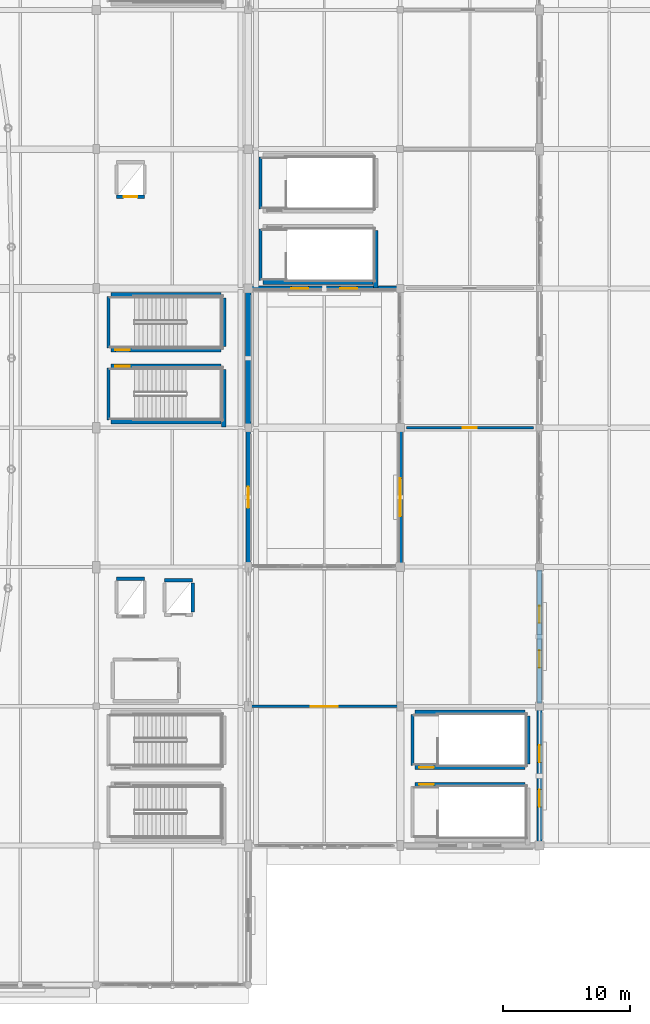
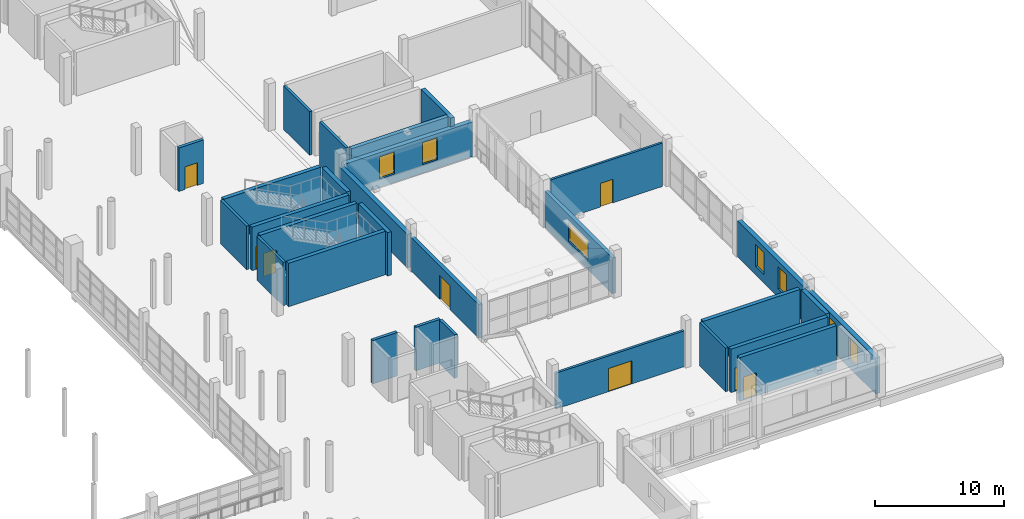
# One storey, part 87 of 118: 29 walls, 8 doors, 7 windows, 15 openings.
"""IFC4 building model written with IfcOpenShell, lengths in metres."""

from ifc_helpers import new_model, si_unit, direction, frame, frame_2d, origin, place, context, subcontext, project, spatial, rectangle, extrude, material, layer, layer_set, type_object, element, fill, save


model = new_model("IFC4")

# Units and contexts
model_context = context("Model", 3, precision=1e-05, world=origin(), true_north=direction((0.0, 1.0)))
body_context = subcontext(model_context, "Body", "Model", "MODEL_VIEW")
ifc_project = project(units=[si_unit("LENGTHUNIT", "METRE"), si_unit("AREAUNIT", "SQUARE_METRE"), si_unit("VOLUMEUNIT", "CUBIC_METRE"), si_unit("PLANEANGLEUNIT", "RADIAN"), si_unit("MASSUNIT", "GRAM", prefix="KILO")], contexts=[model_context])

# Site, building, storey
site_placement = place(None, origin())
site = spatial("IfcSite", under=ifc_project, at=site_placement, CompositionType="ELEMENT")
building_placement = place(site_placement, origin())
building = spatial("IfcBuilding", under=site, at=building_placement, Name="Luwafu Chhajja Arena", CompositionType="ELEMENT")
storey_placement = place(building_placement, frame((0.0, 0.0, 10.199951171875)))
storey = spatial("IfcBuildingStorey", under=building, at=storey_placement, Name="L02", CompositionType="ELEMENT", Elevation=10.199951171875)

# Wall, opening, door
ifc_material_1 = material(Name="Acoustic gypsum and mineral wool partition")
ifc_layer_1 = layer(ifc_material_1, 0.199951171875, Name="Acoustic gypsum and mineral wool partition")
ifc_layer_set_1 = layer_set([ifc_layer_1], Name="Acoustic gypsum and mineral wool partition")
wall_type_1 = type_object("IfcWallType", Name="Acoustic Broadcast Studio Partition 200", PredefinedType="PARTITIONING", material=ifc_layer_set_1)
wall_1_placement = place(storey_placement, frame((176.47998046875, 44.0, 0.0), z_axis=(0.0, 0.0, 1.0), x_axis=(1.0, 0.0, 0.0)))
wall_1 = element("IfcWall", 1, at=wall_1_placement, inside=storey, type_object=wall_type_1, Name="L02 Internal Partition 0282", PredefinedType="PARTITIONING", context=body_context, shape_type="SweptSolid", body=[
    extrude(rectangle(XDim=10.0400390625, YDim=0.199951171875, at=frame_2d((5.02001953125, 0.0))), origin(), (0.0, 0.0, 1.0), 4.14013671875),
])
opening_1_placement = place(wall_1_placement, frame((4.4599609375, 0.0, 0.0)))
opening_1 = element("IfcOpeningElement", 2, at=opening_1_placement, cuts=wall_1, Name="Opening DR-16", PredefinedType="OPENING", context=body_context, shape_type="SweptSolid", body=[
    extrude(rectangle(XDim=1.1201171875, YDim=2.25, at=frame_2d((0.56005859375, 1.125))), frame((0.0, 0.10986328125, 0.0), z_axis=(0.0, -1.0, 0.0), x_axis=(1.0, 0.0, 0.0)), (0.0, 0.0, 1.0), 0.219970703125),
])
ifc_material_2 = material(Name="Acoustic steel-core timber door", Category="steel")
door_type_1 = type_object("IfcDoorType", Name="DR-16", OperationType="NOTDEFINED", PredefinedType="DOOR", material=ifc_material_2)
door_1_placement = place(opening_1_placement, origin())
door_1 = element("IfcDoor", 3, at=door_1_placement, inside=storey, type_object=door_type_1, Name="L02 Interior Door L02-D040", OperationType="SINGLE_SWING_RIGHT", OverallHeight=2.25, OverallWidth=1.1201171875, PredefinedType="DOOR", context=body_context, shape_type="SweptSolid", body=[
    extrude(rectangle(XDim=1.1201171875, YDim=2.25, at=frame_2d((0.56005859375, 1.125))), frame((0.0, 0.02490234375, 0.0), z_axis=(0.0, -1.0, 0.0), x_axis=(1.0, 0.0, 0.0)), (0.0, 0.0, 1.0), 0.050048828125),
])
fill(opening_1, door_1)

# Walls
ifc_material_3 = material(Name="Concrete C35/45", Category="concrete")
ifc_layer_2 = layer(ifc_material_3, 0.260009765625, Name="Concrete C35/45")
ifc_layer_set_2 = layer_set([ifc_layer_2], Name="Concrete C35/45")
wall_type_2 = type_object("IfcWallType", Name="Lift and Riser Shaft Wall 260", PredefinedType="SOLIDWALL", material=ifc_layer_set_2)
wall_2_placement = place(storey_placement, frame((153.590087890625, 32.0849609375, 0.0), z_axis=(0.0, 0.0, 1.0), x_axis=(1.0, 0.0, 0.0)))
element("IfcWall", 4, at=wall_2_placement, inside=storey, type_object=wall_type_2, Name="L02 Lift LF-02 Shaft Wall N", PredefinedType="SOLIDWALL", context=body_context, shape_type="SweptSolid", body=[
    extrude(rectangle(XDim=2.219970703125, YDim=0.260009765625, at=frame_2d((1.10986328125, 0.0))), origin(), (0.0, 0.0, 1.0), 4.14013671875),
])
wall_3_placement = place(storey_placement, frame((157.389892578125, 31.9599609375, 0.0), z_axis=(0.0, 0.0, 1.0), x_axis=(1.0, 0.0, 0.0)))
element("IfcWall", 5, at=wall_3_placement, inside=storey, type_object=wall_type_2, Name="L02 Lift LF-06 Shaft Wall N", PredefinedType="SOLIDWALL", context=body_context, shape_type="SweptSolid", body=[
    extrude(rectangle(XDim=2.22021484375, YDim=0.260009765625, at=frame_2d((1.110107421875, 0.0))), origin(), (0.0, 0.0, 1.0), 4.14013671875),
])
wall_4_placement = place(storey_placement, frame((159.610107421875, 29.43994140625, 0.0), z_axis=(0.0, 0.0, 1.0), x_axis=(0.0, 1.0, 0.0)))
element("IfcWall", 6, at=wall_4_placement, inside=storey, type_object=wall_type_2, Name="L02 Lift LF-06 Shaft Wall E", PredefinedType="SOLIDWALL", context=body_context, shape_type="SweptSolid", body=[
    extrude(rectangle(XDim=2.320068359375, YDim=0.260009765625, at=frame_2d((1.16015625, 0.0))), origin(), (0.0, 0.0, 1.0), 4.14013671875),
])

# Wall, opening, door
wall_5_placement = place(storey_placement, frame((153.590087890625, 62.239990234375, 0.0), z_axis=(0.0, 0.0, 1.0), x_axis=(1.0, 0.0, 0.0)))
wall_5 = element("IfcWall", 7, at=wall_5_placement, inside=storey, type_object=wall_type_2, Name="L02 Lift LF-10 Shaft Wall S", PredefinedType="SOLIDWALL", context=body_context, shape_type="SweptSolid", body=[
    extrude(rectangle(XDim=2.219970703125, YDim=0.260009765625, at=frame_2d((1.10986328125, 0.0))), origin(), (0.0, 0.0, 1.0), 4.14013671875),
])
opening_2_placement = place(wall_5_placement, frame((0.56005859375, 0.0, 0.0)))
opening_2 = element("IfcOpeningElement", 8, at=opening_2_placement, cuts=wall_5, Name="Opening LD-01", PredefinedType="OPENING", context=body_context, shape_type="SweptSolid", body=[
    extrude(rectangle(XDim=1.10009765625, YDim=2.14990234375, at=frame_2d((0.550048828125, 1.074951171875))), frame((0.0, 0.139892578125, 0.0), z_axis=(0.0, -1.0, 0.0), x_axis=(1.0, 0.0, 0.0)), (0.0, 0.0, 1.0), 0.280029296875),
])
ifc_material_4 = material(Name="Brushed stainless steel sliding leaves", Category="steel")
door_type_2 = type_object("IfcDoorType", Name="LD-01", OperationType="SLIDING_TO_LEFT", PredefinedType="DOOR", material=ifc_material_4)
door_2_placement = place(opening_2_placement, origin())
door_2 = element("IfcDoor", 9, at=door_2_placement, inside=storey, type_object=door_type_2, Name="L02 Lift LF-10 Landing Door L02-LD10", OperationType="SLIDING_TO_LEFT", OverallHeight=2.14990234375, OverallWidth=1.10009765625, PredefinedType="DOOR", context=body_context, shape_type="SweptSolid", body=[
    extrude(rectangle(XDim=1.10009765625, YDim=2.14990234375, at=frame_2d((0.550048828125, 1.074951171875))), frame((0.0, 0.02490234375, 0.0), z_axis=(0.0, -1.0, 0.0), x_axis=(1.0, 0.0, 0.0)), (0.0, 0.0, 1.0), 0.050048828125),
])
fill(opening_2, door_2)

ifc_material_5 = material(Name="Concrete blockwork masonry", Category="masonry")
ifc_layer_3 = layer(ifc_material_5, 0.219970703125, Name="Concrete blockwork masonry")
ifc_layer_set_3 = layer_set([ifc_layer_3], Name="Concrete blockwork masonry")
wall_type_3 = type_object("IfcWallType", Name="Protected Corridor Partition 220", PredefinedType="PARTITIONING", material=ifc_layer_set_3)
wall_6_placement = place(storey_placement, frame((164.219970703125, 22.0, 0.0), z_axis=(0.0, 0.0, 1.0), x_axis=(1.0, 0.0, 0.0)))
wall_6 = element("IfcWall", 10, at=wall_6_placement, inside=storey, type_object=wall_type_3, Name="L02 Internal Partition 0281", PredefinedType="PARTITIONING", context=body_context, shape_type="SweptSolid", body=[
    extrude(rectangle(XDim=11.56005859375, YDim=0.219970703125, at=frame_2d((5.780029296875, 0.0))), origin(), (0.0, 0.0, 1.0), 3.405029296875),
])
opening_3_placement = place(wall_6_placement, frame((4.72998046875, 0.0, 0.0)))
opening_3 = element("IfcOpeningElement", 11, at=opening_3_placement, cuts=wall_6, Name="Opening DR-05", PredefinedType="OPENING", context=body_context, shape_type="SweptSolid", body=[
    extrude(rectangle(XDim=2.10009765625, YDim=2.199951171875, at=frame_2d((1.050048828125, 1.10009765625))), frame((0.0, 0.119873046875, 0.0), z_axis=(0.0, -1.0, 0.0), x_axis=(1.0, 0.0, 0.0)), (0.0, 0.0, 1.0), 0.239990234375),
])
ifc_material_6 = material(Name="Fire-rated hardwood and steel core", Category="steel")
door_type_3 = type_object("IfcDoorType", Name="DR-05", OperationType="DOUBLE_DOOR_SINGLE_SWING", PredefinedType="DOOR", material=ifc_material_6)
door_3_placement = place(opening_3_placement, origin())
door_3 = element("IfcDoor", 12, at=door_3_placement, inside=storey, type_object=door_type_3, Name="L02 Interior Door L02-D039", OperationType="DOUBLE_DOOR_SINGLE_SWING", OverallHeight=2.199951171875, OverallWidth=2.10009765625, PredefinedType="DOOR", context=body_context, shape_type="SweptSolid", body=[
    extrude(rectangle(XDim=2.10009765625, YDim=2.199951171875, at=frame_2d((1.050048828125, 1.10009765625))), frame((0.0, 0.02490234375, 0.0), z_axis=(0.0, -1.0, 0.0), x_axis=(1.0, 0.0, 0.0)), (0.0, 0.0, 1.0), 0.050048828125),
])
fill(opening_3, door_3)

# Walls
ifc_material_7 = material(Name="Concrete C40/50", Category="concrete")
ifc_layer_4 = layer(ifc_material_7, 0.35009765625, Name="Concrete C40/50")
ifc_layer_set_4 = layer_set([ifc_layer_4], Name="Concrete C40/50")
wall_type_4 = type_object("IfcWallType", Name="RC Core Shear Wall 350", PredefinedType="SOLIDWALL", material=ifc_layer_set_4)
wall_7_placement = place(storey_placement, frame((162.072021484375, 44.050048828125, 0.0), z_axis=(0.0, 0.0, 1.0), x_axis=(0.0, 1.0, 0.0)))
element("IfcWall", 13, at=wall_7_placement, inside=storey, type_object=wall_type_4, Name="L02 Stair ST-11 Core Shear Wall E", PredefinedType="SOLIDWALL", context=body_context, shape_type="SweptSolid", body=[
    extrude(rectangle(XDim=4.5400390625, YDim=0.35009765625, at=frame_2d((2.27001953125, 0.0))), origin(), (0.0, 0.0, 1.0), 4.14013671875),
])
wall_8_placement = place(storey_placement, frame((153.14990234375, 44.47802734375, 0.0), z_axis=(0.0, 0.0, 1.0), x_axis=(1.0, 0.0, 0.0)))
element("IfcWall", 14, at=wall_8_placement, inside=storey, type_object=wall_type_4, Name="L02 Stair ST-11 Core Shear Wall S", PredefinedType="SOLIDWALL", context=body_context, shape_type="SweptSolid", body=[
    extrude(rectangle(XDim=8.7001953125, YDim=0.35009765625, at=frame_2d((4.35009765625, 0.0))), origin(), (0.0, 0.0, 1.0), 4.14013671875),
])

# Wall, opening, door
wall_9_placement = place(storey_placement, frame((153.14990234375, 48.862060546875, 0.0), z_axis=(0.0, 0.0, 1.0), x_axis=(1.0, 0.0, 0.0)))
wall_9 = element("IfcWall", 15, at=wall_9_placement, inside=storey, type_object=wall_type_4, Name="L02 Stair ST-11 Core Shear Wall N", PredefinedType="SOLIDWALL", context=body_context, shape_type="SweptSolid", body=[
    extrude(rectangle(XDim=8.7001953125, YDim=0.35009765625, at=frame_2d((4.35009765625, 0.0))), origin(), (0.0, 0.0, 1.0), 4.14013671875),
])
opening_4_placement = place(wall_9_placement, frame((0.35009765625, 0.0, 0.0)))
opening_4 = element("IfcOpeningElement", 16, at=opening_4_placement, cuts=wall_9, Name="Opening DR-06", PredefinedType="OPENING", context=body_context, shape_type="SweptSolid", body=[
    extrude(rectangle(XDim=1.14990234375, YDim=2.199951171875, at=frame_2d((0.574951171875, 1.10009765625))), frame((0.0, 0.18505859375, 0.0), z_axis=(0.0, -1.0, 0.0), x_axis=(1.0, 0.0, 0.0)), (0.0, 0.0, 1.0), 0.3701171875),
])
door_type_4 = type_object("IfcDoorType", Name="DR-06", OperationType="NOTDEFINED", PredefinedType="DOOR", material=ifc_material_6)
door_4_placement = place(opening_4_placement, origin())
door_4 = element("IfcDoor", 17, at=door_4_placement, inside=storey, type_object=door_type_4, Name="L02 Escape Stair ST-11 Fire Door L02-D019", OperationType="SINGLE_SWING_RIGHT", OverallHeight=2.199951171875, OverallWidth=1.14990234375, PredefinedType="DOOR", context=body_context, shape_type="SweptSolid", body=[
    extrude(rectangle(XDim=1.14990234375, YDim=2.199951171875, at=frame_2d((0.574951171875, 1.10009765625))), frame((0.0, 0.02490234375, 0.0), z_axis=(0.0, -1.0, 0.0), x_axis=(1.0, 0.0, 0.0)), (0.0, 0.0, 1.0), 0.050048828125),
])
fill(opening_4, door_4)

# Wall
wall_10_placement = place(storey_placement, frame((162.072021484375, 50.409912109375, 0.0), z_axis=(0.0, 0.0, 1.0), x_axis=(0.0, 1.0, 0.0)))
element("IfcWall", 18, at=wall_10_placement, inside=storey, type_object=wall_type_4, Name="L02 Stair ST-12 Core Shear Wall E", PredefinedType="SOLIDWALL", context=body_context, shape_type="SweptSolid", body=[
    extrude(rectangle(XDim=3.840087890625, YDim=0.35009765625, at=frame_2d((1.919921875, 0.0))), origin(), (0.0, 0.0, 1.0), 4.14013671875),
])

# Wall, opening, door
wall_11_placement = place(storey_placement, frame((153.14990234375, 50.137939453125, 0.0), z_axis=(0.0, 0.0, 1.0), x_axis=(1.0, 0.0, 0.0)))
wall_11 = element("IfcWall", 19, at=wall_11_placement, inside=storey, type_object=wall_type_4, Name="L02 Stair ST-12 Core Shear Wall S", PredefinedType="SOLIDWALL", context=body_context, shape_type="SweptSolid", body=[
    extrude(rectangle(XDim=8.7001953125, YDim=0.35009765625, at=frame_2d((4.35009765625, 0.0))), origin(), (0.0, 0.0, 1.0), 4.14013671875),
])
opening_5_placement = place(wall_11_placement, frame((0.35009765625, 0.0, 0.0)))
opening_5 = element("IfcOpeningElement", 20, at=opening_5_placement, cuts=wall_11, Name="Opening DR-06", PredefinedType="OPENING", context=body_context, shape_type="SweptSolid", body=[
    extrude(rectangle(XDim=1.14990234375, YDim=2.199951171875, at=frame_2d((0.574951171875, 1.10009765625))), frame((0.0, 0.18505859375, 0.0), z_axis=(0.0, -1.0, 0.0), x_axis=(1.0, 0.0, 0.0)), (0.0, 0.0, 1.0), 0.3701171875),
])
door_5_placement = place(opening_5_placement, origin())
door_5 = element("IfcDoor", 21, at=door_5_placement, inside=storey, type_object=door_type_4, Name="L02 Escape Stair ST-12 Fire Door L02-D020", OperationType="SINGLE_SWING_LEFT", OverallHeight=2.199951171875, OverallWidth=1.14990234375, PredefinedType="DOOR", context=body_context, shape_type="SweptSolid", body=[
    extrude(rectangle(XDim=1.14990234375, YDim=2.199951171875, at=frame_2d((0.574951171875, 1.10009765625))), frame((0.0, 0.02490234375, 0.0), z_axis=(0.0, -1.0, 0.0), x_axis=(1.0, 0.0, 0.0)), (0.0, 0.0, 1.0), 0.050048828125),
])
fill(opening_5, door_5)

# Wall
wall_12_placement = place(storey_placement, frame((153.14990234375, 54.52197265625, 0.0), z_axis=(0.0, 0.0, 1.0), x_axis=(1.0, 0.0, 0.0)))
element("IfcWall", 22, at=wall_12_placement, inside=storey, type_object=wall_type_4, Name="L02 Stair ST-12 Core Shear Wall N", PredefinedType="SOLIDWALL", context=body_context, shape_type="SweptSolid", body=[
    extrude(rectangle(XDim=8.7001953125, YDim=0.35009765625, at=frame_2d((4.35009765625, 0.0))), origin(), (0.0, 0.0, 1.0), 4.14013671875),
])

# Wall, opening, door
wall_13_placement = place(storey_placement, frame((177.14990234375, 15.822021484375, 0.0), z_axis=(0.0, 0.0, 1.0), x_axis=(1.0, 0.0, 0.0)))
wall_13 = element("IfcWall", 23, at=wall_13_placement, inside=storey, type_object=wall_type_4, Name="L02 Stair ST-15 Core Shear Wall N", PredefinedType="SOLIDWALL", context=body_context, shape_type="SweptSolid", body=[
    extrude(rectangle(XDim=8.7001953125, YDim=0.35009765625, at=frame_2d((4.35009765625, 0.0))), origin(), (0.0, 0.0, 1.0), 4.14013671875),
])
opening_6_placement = place(wall_13_placement, frame((0.35009765625, 0.0, 0.0)))
opening_6 = element("IfcOpeningElement", 24, at=opening_6_placement, cuts=wall_13, Name="Opening DR-06", PredefinedType="OPENING", context=body_context, shape_type="SweptSolid", body=[
    extrude(rectangle(XDim=1.14990234375, YDim=2.199951171875, at=frame_2d((0.574951171875, 1.10009765625))), frame((0.0, 0.18505859375, 0.0), z_axis=(0.0, -1.0, 0.0), x_axis=(1.0, 0.0, 0.0)), (0.0, 0.0, 1.0), 0.3701171875),
])
door_6_placement = place(opening_6_placement, origin())
door_6 = element("IfcDoor", 25, at=door_6_placement, inside=storey, type_object=door_type_4, Name="L02 Escape Stair ST-15 Fire Door L02-D023", OperationType="SINGLE_SWING_RIGHT", OverallHeight=2.199951171875, OverallWidth=1.14990234375, PredefinedType="DOOR", context=body_context, shape_type="SweptSolid", body=[
    extrude(rectangle(XDim=1.14990234375, YDim=2.199951171875, at=frame_2d((0.574951171875, 1.10009765625))), frame((0.0, 0.02490234375, 0.0), z_axis=(0.0, -1.0, 0.0), x_axis=(1.0, 0.0, 0.0)), (0.0, 0.0, 1.0), 0.050048828125),
])
fill(opening_6, door_6)

# Wall
wall_14_placement = place(storey_placement, frame((186.072021484375, 17.449951171875, 0.0), z_axis=(0.0, 0.0, 1.0), x_axis=(0.0, 1.0, 0.0)))
element("IfcWall", 26, at=wall_14_placement, inside=storey, type_object=wall_type_4, Name="L02 Stair ST-16 Core Shear Wall E", PredefinedType="SOLIDWALL", context=body_context, shape_type="SweptSolid", body=[
    extrude(rectangle(XDim=3.800048828125, YDim=0.35009765625, at=frame_2d((1.89990234375, 0.0))), origin(), (0.0, 0.0, 1.0), 4.14013671875),
])

# Wall, opening, door
wall_15_placement = place(storey_placement, frame((177.14990234375, 17.177978515625, 0.0), z_axis=(0.0, 0.0, 1.0), x_axis=(1.0, 0.0, 0.0)))
wall_15 = element("IfcWall", 27, at=wall_15_placement, inside=storey, type_object=wall_type_4, Name="L02 Stair ST-16 Core Shear Wall S", PredefinedType="SOLIDWALL", context=body_context, shape_type="SweptSolid", body=[
    extrude(rectangle(XDim=8.7001953125, YDim=0.35009765625, at=frame_2d((4.35009765625, 0.0))), origin(), (0.0, 0.0, 1.0), 4.14013671875),
])
opening_7_placement = place(wall_15_placement, frame((0.35009765625, 0.0, 0.0)))
opening_7 = element("IfcOpeningElement", 28, at=opening_7_placement, cuts=wall_15, Name="Opening DR-06", PredefinedType="OPENING", context=body_context, shape_type="SweptSolid", body=[
    extrude(rectangle(XDim=1.14990234375, YDim=2.199951171875, at=frame_2d((0.574951171875, 1.10009765625))), frame((0.0, 0.18505859375, 0.0), z_axis=(0.0, -1.0, 0.0), x_axis=(1.0, 0.0, 0.0)), (0.0, 0.0, 1.0), 0.3701171875),
])
door_7_placement = place(opening_7_placement, origin())
door_7 = element("IfcDoor", 29, at=door_7_placement, inside=storey, type_object=door_type_4, Name="L02 Escape Stair ST-16 Fire Door L02-D024", OperationType="SINGLE_SWING_LEFT", OverallHeight=2.199951171875, OverallWidth=1.14990234375, PredefinedType="DOOR", context=body_context, shape_type="SweptSolid", body=[
    extrude(rectangle(XDim=1.14990234375, YDim=2.199951171875, at=frame_2d((0.574951171875, 1.10009765625))), frame((0.0, 0.02490234375, 0.0), z_axis=(0.0, -1.0, 0.0), x_axis=(1.0, 0.0, 0.0)), (0.0, 0.0, 1.0), 0.050048828125),
])
fill(opening_7, door_7)

# Walls
wall_16_placement = place(storey_placement, frame((177.14990234375, 21.52197265625, 0.0), z_axis=(0.0, 0.0, 1.0), x_axis=(1.0, 0.0, 0.0)))
element("IfcWall", 30, at=wall_16_placement, inside=storey, type_object=wall_type_4, Name="L02 Stair ST-16 Core Shear Wall N", PredefinedType="SOLIDWALL", context=body_context, shape_type="SweptSolid", body=[
    extrude(rectangle(XDim=8.7001953125, YDim=0.35009765625, at=frame_2d((4.35009765625, 0.0))), origin(), (0.0, 0.0, 1.0), 4.14013671875),
])
wall_17_placement = place(storey_placement, frame((174.072021484375, 55.050048828125, 0.0), z_axis=(0.0, 0.0, 1.0), x_axis=(0.0, 1.0, 0.0)))
element("IfcWall", 31, at=wall_17_placement, inside=storey, type_object=wall_type_4, Name="L02 Stair ST-19 Core Shear Wall E", PredefinedType="SOLIDWALL", context=body_context, shape_type="SweptSolid", body=[
    extrude(rectangle(XDim=4.5400390625, YDim=0.35009765625, at=frame_2d((2.27001953125, 0.0))), origin(), (0.0, 0.0, 1.0), 4.14013671875),
])
wall_18_placement = place(storey_placement, frame((165.14990234375, 55.47802734375, 0.0), z_axis=(0.0, 0.0, 1.0), x_axis=(1.0, 0.0, 0.0)))
element("IfcWall", 32, at=wall_18_placement, inside=storey, type_object=wall_type_4, Name="L02 Stair ST-19 Core Shear Wall S", PredefinedType="SOLIDWALL", context=body_context, shape_type="SweptSolid", body=[
    extrude(rectangle(XDim=8.7001953125, YDim=0.35009765625, at=frame_2d((4.35009765625, 0.0))), origin(), (0.0, 0.0, 1.0), 4.14013671875),
])
ifc_layer_5 = layer(ifc_material_7, 0.39990234375, Name="Concrete C40/50")
ifc_layer_set_5 = layer_set([ifc_layer_5], Name="Concrete C40/50")
wall_type_5 = type_object("IfcWallType", Name="RC Core Shear Wall 400", PredefinedType="SOLIDWALL", material=ifc_layer_set_5)
wall_19_placement = place(storey_placement, frame((164.0, 44.219970703125, 0.0), z_axis=(0.0, 0.0, 1.0), x_axis=(0.0, 1.0, 0.0)))
element("IfcWall", 33, at=wall_19_placement, inside=storey, type_object=wall_type_5, Name="L02 Exterior Wall WEX-L02-170", PredefinedType="SOLIDWALL", context=body_context, shape_type="SweptSolid", body=[
    extrude(rectangle(XDim=10.56005859375, YDim=0.39990234375, at=frame_2d((5.280029296875, 0.0))), origin(), (0.0, 0.0, 1.0), 3.18994140625),
])

# Wall, openings, windows
wall_20_placement = place(storey_placement, frame((164.219970703125, 55.0, 0.0), z_axis=(0.0, 0.0, 1.0), x_axis=(1.0, 0.0, 0.0)))
wall_20 = element("IfcWall", 34, at=wall_20_placement, inside=storey, type_object=wall_type_5, Name="L02 Exterior Wall WEX-L02-171", PredefinedType="SOLIDWALL", context=body_context, shape_type="SweptSolid", body=[
    extrude(rectangle(XDim=11.56005859375, YDim=0.39990234375, at=frame_2d((5.780029296875, 0.0))), origin(), (0.0, 0.0, 1.0), 3.2900390625),
])
opening_8_placement = place(wall_20_placement, frame((3.17822265625, 0.0, 0.800048828125)))
opening_8 = element("IfcOpeningElement", 35, at=opening_8_placement, cuts=wall_20, Name="Opening WN-17", PredefinedType="OPENING", context=body_context, shape_type="SweptSolid", body=[
    extrude(rectangle(XDim=1.35009765625, YDim=2.10009765625, at=frame_2d((0.675048828125, 1.050048828125))), frame((0.0, 0.2099609375, 0.0), z_axis=(0.0, -1.0, 0.0), x_axis=(1.0, 0.0, 0.0)), (0.0, 0.0, 1.0), 0.419921875),
])
opening_9_placement = place(wall_20_placement, frame((7.03173828125, 0.0, 0.800048828125)))
opening_9 = element("IfcOpeningElement", 36, at=opening_9_placement, cuts=wall_20, Name="Opening WN-17", PredefinedType="OPENING", context=body_context, shape_type="SweptSolid", body=[
    extrude(rectangle(XDim=1.35009765625, YDim=2.10009765625, at=frame_2d((0.675048828125, 1.050048828125))), frame((0.0, 0.2099609375, 0.0), z_axis=(0.0, -1.0, 0.0), x_axis=(1.0, 0.0, 0.0)), (0.0, 0.0, 1.0), 0.419921875),
])
ifc_material_8 = material(Name="Solar-control laminated glass", Category="glass")
window_type_1 = type_object("IfcWindowType", Name="Exhibition Mezzanine Lancet Window 1350x2100", PartitioningType="SINGLE_PANEL", PredefinedType="WINDOW", material=ifc_material_8)
window_1_placement = place(opening_8_placement, origin())
window_1 = element("IfcWindow", 37, at=window_1_placement, inside=storey, type_object=window_type_1, Name="L02 Facade Window 104", OverallHeight=2.10009765625, OverallWidth=1.35009765625, PartitioningType="SINGLE_PANEL", PredefinedType="WINDOW", context=body_context, shape_type="SweptSolid", body=[
    extrude(rectangle(XDim=1.35009765625, YDim=2.10009765625, at=frame_2d((0.675048828125, 1.050048828125))), frame((0.0, 0.030029296875, 0.0), z_axis=(0.0, -1.0, 0.0), x_axis=(1.0, 0.0, 0.0)), (0.0, 0.0, 1.0), 0.06005859375),
])
fill(opening_8, window_1)
window_2_placement = place(opening_9_placement, origin())
window_2 = element("IfcWindow", 38, at=window_2_placement, inside=storey, type_object=window_type_1, Name="L02 Facade Window 105", OverallHeight=2.10009765625, OverallWidth=1.35009765625, PartitioningType="SINGLE_PANEL", PredefinedType="WINDOW", context=body_context, shape_type="SweptSolid", body=[
    extrude(rectangle(XDim=1.35009765625, YDim=2.10009765625, at=frame_2d((0.675048828125, 1.050048828125))), frame((0.0, 0.030029296875, 0.0), z_axis=(0.0, -1.0, 0.0), x_axis=(1.0, 0.0, 0.0)), (0.0, 0.0, 1.0), 0.06005859375),
])
fill(opening_9, window_2)

wall_21_placement = place(storey_placement, frame((187.0, 11.219970703125, 0.0), z_axis=(0.0, 0.0, 1.0), x_axis=(0.0, 1.0, 0.0)))
wall_21 = element("IfcWall", 39, at=wall_21_placement, inside=storey, type_object=wall_type_5, Name="L02 Exterior Wall WEX-L02-173", PredefinedType="SOLIDWALL", context=body_context, shape_type="SweptSolid", body=[
    extrude(rectangle(XDim=10.56005859375, YDim=0.39990234375, at=frame_2d((5.280029296875, 0.0))), origin(), (0.0, 0.0, 1.0), 3.405029296875),
])
opening_10_placement = place(wall_21_placement, frame((2.844970703125, 0.0, 0.800048828125)))
opening_10 = element("IfcOpeningElement", 40, at=opening_10_placement, cuts=wall_21, Name="Opening WN-17", PredefinedType="OPENING", context=body_context, shape_type="SweptSolid", body=[
    extrude(rectangle(XDim=1.35009765625, YDim=2.10009765625, at=frame_2d((0.675048828125, 1.050048828125))), frame((0.0, 0.2099609375, 0.0), z_axis=(0.0, -1.0, 0.0), x_axis=(1.0, 0.0, 0.0)), (0.0, 0.0, 1.0), 0.419921875),
])
opening_11_placement = place(wall_21_placement, frame((6.364990234375, 0.0, 0.800048828125)))
opening_11 = element("IfcOpeningElement", 41, at=opening_11_placement, cuts=wall_21, Name="Opening WN-17", PredefinedType="OPENING", context=body_context, shape_type="SweptSolid", body=[
    extrude(rectangle(XDim=1.35009765625, YDim=2.10009765625, at=frame_2d((0.675048828125, 1.050048828125))), frame((0.0, 0.2099609375, 0.0), z_axis=(0.0, -1.0, 0.0), x_axis=(1.0, 0.0, 0.0)), (0.0, 0.0, 1.0), 0.419921875),
])
window_3_placement = place(opening_10_placement, origin())
window_3 = element("IfcWindow", 42, at=window_3_placement, inside=storey, type_object=window_type_1, Name="L02 Facade Window 108", OverallHeight=2.10009765625, OverallWidth=1.35009765625, PartitioningType="SINGLE_PANEL", PredefinedType="WINDOW", context=body_context, shape_type="SweptSolid", body=[
    extrude(rectangle(XDim=1.35009765625, YDim=2.10009765625, at=frame_2d((0.675048828125, 1.050048828125))), frame((0.0, 0.030029296875, 0.0), z_axis=(0.0, -1.0, 0.0), x_axis=(1.0, 0.0, 0.0)), (0.0, 0.0, 1.0), 0.06005859375),
])
fill(opening_10, window_3)
window_4_placement = place(opening_11_placement, origin())
window_4 = element("IfcWindow", 43, at=window_4_placement, inside=storey, type_object=window_type_1, Name="L02 Facade Window 109", OverallHeight=2.10009765625, OverallWidth=1.35009765625, PartitioningType="SINGLE_PANEL", PredefinedType="WINDOW", context=body_context, shape_type="SweptSolid", body=[
    extrude(rectangle(XDim=1.35009765625, YDim=2.10009765625, at=frame_2d((0.675048828125, 1.050048828125))), frame((0.0, 0.030029296875, 0.0), z_axis=(0.0, -1.0, 0.0), x_axis=(1.0, 0.0, 0.0)), (0.0, 0.0, 1.0), 0.06005859375),
])
fill(opening_11, window_4)

wall_22_placement = place(storey_placement, frame((187.0, 22.219970703125, 0.0), z_axis=(0.0, 0.0, 1.0), x_axis=(0.0, 1.0, 0.0)))
wall_22 = element("IfcWall", 44, at=wall_22_placement, inside=storey, type_object=wall_type_5, Name="L02 Exterior Wall WEX-L02-174", PredefinedType="SOLIDWALL", context=body_context, shape_type="SweptSolid", body=[
    extrude(rectangle(XDim=10.56005859375, YDim=0.39990234375, at=frame_2d((5.280029296875, 0.0))), origin(), (0.0, 0.0, 1.0), 3.405029296875),
])
opening_12_placement = place(wall_22_placement, frame((2.844970703125, 0.0, 0.800048828125)))
opening_12 = element("IfcOpeningElement", 45, at=opening_12_placement, cuts=wall_22, Name="Opening WN-17", PredefinedType="OPENING", context=body_context, shape_type="SweptSolid", body=[
    extrude(rectangle(XDim=1.35009765625, YDim=2.10009765625, at=frame_2d((0.675048828125, 1.050048828125))), frame((0.0, 0.2099609375, 0.0), z_axis=(0.0, -1.0, 0.0), x_axis=(1.0, 0.0, 0.0)), (0.0, 0.0, 1.0), 0.419921875),
])
opening_13_placement = place(wall_22_placement, frame((6.364990234375, 0.0, 0.800048828125)))
opening_13 = element("IfcOpeningElement", 46, at=opening_13_placement, cuts=wall_22, Name="Opening WN-17", PredefinedType="OPENING", context=body_context, shape_type="SweptSolid", body=[
    extrude(rectangle(XDim=1.35009765625, YDim=2.10009765625, at=frame_2d((0.675048828125, 1.050048828125))), frame((0.0, 0.2099609375, 0.0), z_axis=(0.0, -1.0, 0.0), x_axis=(1.0, 0.0, 0.0)), (0.0, 0.0, 1.0), 0.419921875),
])
window_5_placement = place(opening_12_placement, origin())
window_5 = element("IfcWindow", 47, at=window_5_placement, inside=storey, type_object=window_type_1, Name="L02 Facade Window 110", OverallHeight=2.10009765625, OverallWidth=1.35009765625, PartitioningType="SINGLE_PANEL", PredefinedType="WINDOW", context=body_context, shape_type="SweptSolid", body=[
    extrude(rectangle(XDim=1.35009765625, YDim=2.10009765625, at=frame_2d((0.675048828125, 1.050048828125))), frame((0.0, 0.030029296875, 0.0), z_axis=(0.0, -1.0, 0.0), x_axis=(1.0, 0.0, 0.0)), (0.0, 0.0, 1.0), 0.06005859375),
])
fill(opening_12, window_5)
window_6_placement = place(opening_13_placement, origin())
window_6 = element("IfcWindow", 48, at=window_6_placement, inside=storey, type_object=window_type_1, Name="L02 Facade Window 111", OverallHeight=2.10009765625, OverallWidth=1.35009765625, PartitioningType="SINGLE_PANEL", PredefinedType="WINDOW", context=body_context, shape_type="SweptSolid", body=[
    extrude(rectangle(XDim=1.35009765625, YDim=2.10009765625, at=frame_2d((0.675048828125, 1.050048828125))), frame((0.0, 0.030029296875, 0.0), z_axis=(0.0, -1.0, 0.0), x_axis=(1.0, 0.0, 0.0)), (0.0, 0.0, 1.0), 0.06005859375),
])
fill(opening_13, window_6)

# Wall, opening, door
ifc_layer_6 = layer(ifc_material_3, 0.320068359375, Name="Concrete C35/45")
ifc_layer_set_6 = layer_set([ifc_layer_6], Name="Concrete C35/45")
wall_type_6 = type_object("IfcWallType", Name="Sandstone Backed Exterior Wall 320", PredefinedType="SOLIDWALL", material=ifc_layer_set_6)
wall_23_placement = place(storey_placement, frame((164.0, 33.219970703125, 0.0), z_axis=(0.0, 0.0, 1.0), x_axis=(0.0, 1.0, 0.0)))
wall_23 = element("IfcWall", 49, at=wall_23_placement, inside=storey, type_object=wall_type_6, Name="L02 Exterior Wall WEX-L02-169", PredefinedType="SOLIDWALL", context=body_context, shape_type="SweptSolid", body=[
    extrude(rectangle(XDim=10.56005859375, YDim=0.320068359375, at=frame_2d((5.280029296875, 0.0))), origin(), (0.0, 0.0, 1.0), 3.18994140625),
])
opening_14_placement = place(wall_23_placement, frame((4.455078125, 0.0, 0.0)))
opening_14 = element("IfcOpeningElement", 50, at=opening_14_placement, cuts=wall_23, Name="Opening DR-29", PredefinedType="OPENING", context=body_context, shape_type="SweptSolid", body=[
    extrude(rectangle(XDim=1.64990234375, YDim=2.300048828125, at=frame_2d((0.824951171875, 1.14990234375))), frame((0.0, 0.169921875, 0.0), z_axis=(0.0, -1.0, 0.0), x_axis=(1.0, 0.0, 0.0)), (0.0, 0.0, 1.0), 0.340087890625),
])
ifc_material_9 = material(Name="Anodised bronze thermally broken double glazed door")
door_type_5 = type_object("IfcDoorType", Name="DR-29", OperationType="DOUBLE_DOOR_SINGLE_SWING", PredefinedType="DOOR", material=ifc_material_9)
door_8_placement = place(opening_14_placement, frame((1.64990234375, 0.0, 0.0), z_axis=(0.0, 0.0, 1.0), x_axis=(-1.0, 0.0, 0.0)))
door_8 = element("IfcDoor", 51, at=door_8_placement, inside=storey, type_object=door_type_5, Name="L02 Viewing Terrace Access Door L02-TD01", OperationType="DOUBLE_DOOR_SINGLE_SWING", OverallHeight=2.300048828125, OverallWidth=1.64990234375, PredefinedType="DOOR", context=body_context, shape_type="SweptSolid", body=[
    extrude(rectangle(XDim=1.64990234375, YDim=2.300048828125, at=frame_2d((0.824951171875, 1.14990234375))), frame((0.0, 0.02490234375, 0.0), z_axis=(0.0, -1.0, 0.0), x_axis=(1.0, 0.0, 0.0)), (0.0, 0.0, 1.0), 0.050048828125),
])
fill(opening_14, door_8)

# Wall, opening, window
wall_24_placement = place(storey_placement, frame((176.0, 33.219970703125, 0.0), z_axis=(0.0, 0.0, 1.0), x_axis=(0.0, 1.0, 0.0)))
wall_24 = element("IfcWall", 52, at=wall_24_placement, inside=storey, type_object=wall_type_6, Name="L02 Exterior Wall WEX-L02-175", PredefinedType="SOLIDWALL", context=body_context, shape_type="SweptSolid", body=[
    extrude(rectangle(XDim=10.56005859375, YDim=0.320068359375, at=frame_2d((5.280029296875, 0.0))), origin(), (0.0, 0.0, 1.0), 3.405029296875),
])
opening_15_placement = place(wall_24_placement, frame((3.780029296875, 0.0, 0.89990234375)))
opening_15 = element("IfcOpeningElement", 53, at=opening_15_placement, cuts=wall_24, Name="Opening WN-07", PredefinedType="OPENING", context=body_context, shape_type="SweptSolid", body=[
    extrude(rectangle(XDim=3.0, YDim=1.800048828125, at=frame_2d((1.5, 0.89990234375))), frame((0.0, 0.169921875, 0.0), z_axis=(0.0, -1.0, 0.0), x_axis=(1.0, 0.0, 0.0)), (0.0, 0.0, 1.0), 0.340087890625),
])
window_type_2 = type_object("IfcWindowType", Name="Hospitality Lounge Ribbon Window 3000x1800", PartitioningType="SINGLE_PANEL", PredefinedType="WINDOW", material=ifc_material_8)
window_7_placement = place(opening_15_placement, origin())
window_7 = element("IfcWindow", 54, at=window_7_placement, inside=storey, type_object=window_type_2, Name="L02 Facade Window 112", OverallHeight=1.800048828125, OverallWidth=3.0, PartitioningType="SINGLE_PANEL", PredefinedType="WINDOW", context=body_context, shape_type="SweptSolid", body=[
    extrude(rectangle(XDim=3.0, YDim=1.800048828125, at=frame_2d((1.5, 0.89990234375))), frame((0.0, 0.030029296875, 0.0), z_axis=(0.0, -1.0, 0.0), x_axis=(1.0, 0.0, 0.0)), (0.0, 0.0, 1.0), 0.06005859375),
])
fill(opening_15, window_7)

# Walls
ifc_layer_7 = layer(ifc_material_3, 0.22998046875, Name="Concrete C35/45")
ifc_layer_set_7 = layer_set([ifc_layer_7], Name="Concrete C35/45")
wall_type_7 = type_object("IfcWallType", Name="Stair Enclosure Wall 230", PredefinedType="SOLIDWALL", material=ifc_layer_set_7)
for number, where, z_axis, x_axis, name in (
    (55, (152.9599609375, 44.6298828125, 0.0), (0.0, 0.0, 1.0), (0.0, 1.0, 0.0), "L02 Stair ST-11 Enclosure Wall W"),
    (56, (152.9599609375, 50.2900390625, 0.0), (0.0, 0.0, 1.0), (0.0, 1.0, 0.0), "L02 Stair ST-12 Enclosure Wall W"),
):
    element("IfcWall", number, at=place(storey_placement, frame(where, z_axis=z_axis, x_axis=x_axis)), inside=storey, type_object=wall_type_7, Name=name, PredefinedType="SOLIDWALL", context=body_context, shape_type="SweptSolid", body=[
        extrude(rectangle(XDim=4.080078125, YDim=0.22998046875, at=frame_2d((2.0400390625, 0.0))), origin(), (0.0, 0.0, 1.0), 4.14013671875),
    ])
wall_25_placement = place(storey_placement, frame((176.9599609375, 17.330078125, 0.0), z_axis=(0.0, 0.0, 1.0), x_axis=(0.0, 1.0, 0.0)))
element("IfcWall", 57, at=wall_25_placement, inside=storey, type_object=wall_type_7, Name="L02 Stair ST-16 Enclosure Wall W", PredefinedType="SOLIDWALL", context=body_context, shape_type="SweptSolid", body=[
    extrude(rectangle(XDim=4.0400390625, YDim=0.22998046875, at=frame_2d((2.02001953125, 0.0))), origin(), (0.0, 0.0, 1.0), 4.14013671875),
])
for number, where, z_axis, x_axis, name in (
    (58, (164.9599609375, 55.6298828125, 0.0), (0.0, 0.0, 1.0), (0.0, 1.0, 0.0), "L02 Stair ST-19 Enclosure Wall W"),
    (59, (164.9599609375, 61.2900390625, 0.0), (0.0, 0.0, 1.0), (0.0, 1.0, 0.0), "L02 Stair ST-20 Enclosure Wall W"),
):
    element("IfcWall", number, at=place(storey_placement, frame(where, z_axis=z_axis, x_axis=x_axis)), inside=storey, type_object=wall_type_7, Name=name, PredefinedType="SOLIDWALL", context=body_context, shape_type="SweptSolid", body=[
        extrude(rectangle(XDim=4.080078125, YDim=0.22998046875, at=frame_2d((2.0400390625, 0.0))), origin(), (0.0, 0.0, 1.0), 4.14013671875),
    ])

save(model, "model.ifc")
